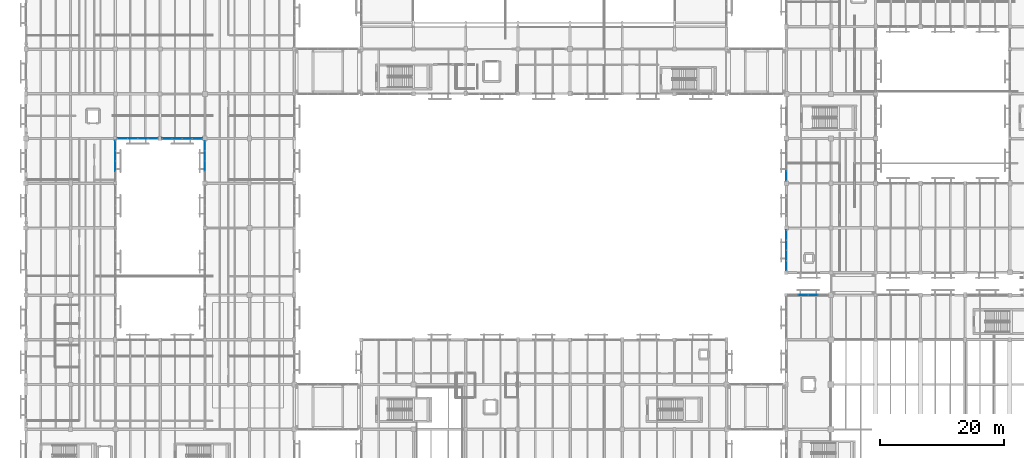
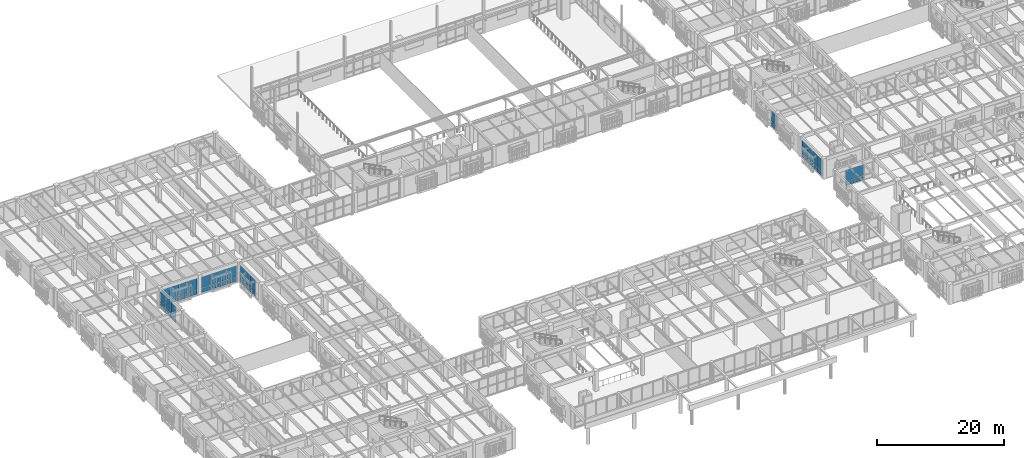
# One storey, part 120 of 170: 42 plates, 7 elements without a shape of their own.
"""IFC4 building model written with IfcOpenShell, lengths in metres."""

from ifc_helpers import new_model, si_unit, direction, frame, origin, origin_2d, place, context, subcontext, project, spatial, rectangle, extrude, material, layer, layer_set, type_object, element, aggregate, save


model = new_model("IFC4")

# Units and contexts
model_context = context("Model", 3, precision=1e-05, world=origin(), true_north=direction((0.0, 1.0)))
body_context = subcontext(model_context, "Body", "Model", "MODEL_VIEW")
ifc_project = project(units=[si_unit("LENGTHUNIT", "METRE"), si_unit("AREAUNIT", "SQUARE_METRE"), si_unit("VOLUMEUNIT", "CUBIC_METRE"), si_unit("PLANEANGLEUNIT", "RADIAN"), si_unit("MASSUNIT", "GRAM", prefix="KILO")], contexts=[model_context])

# Site, building, storey
site_placement = place(None, origin())
site = spatial("IfcSite", under=ifc_project, at=site_placement, CompositionType="ELEMENT")
building_placement = place(site_placement, origin())
building = spatial("IfcBuilding", under=site, at=building_placement, Name="Mazaris Harbour Polytechnic", CompositionType="ELEMENT")
storey_placement = place(building_placement, frame((0.0, 0.0, 5.39990234375)))
storey = spatial("IfcBuildingStorey", under=building, at=storey_placement, Name="L01", CompositionType="ELEMENT", Elevation=5.39990234375)

# Curtain wall, plates
ifc_material_1 = material(Name="Anodised Bronze Aluminium and Low-E Glass", Category="aluminium")
ifc_layer_1 = layer(ifc_material_1, 0.159912109375, Name="Anodised Bronze Aluminium and Low-E Glass")
ifc_layer_set_1 = layer_set([ifc_layer_1], Name="Anodised Bronze Aluminium and Low-E Glass")
curtain_wall_type_1 = type_object("IfcCurtainWallType", Name="Cloister Court Curtain Wall", PredefinedType="NOTDEFINED", material=ifc_layer_set_1)
curtain_wall_1_placement = place(storey_placement, origin())
curtain_wall_1 = element("IfcCurtainWall", 1, at=curtain_wall_1_placement, inside=storey, type_object=curtain_wall_type_1, Name="V2 L01 Curtain Wall 43", PredefinedType="NOTDEFINED")
ifc_material_2 = material(Name="Low-E Double Glazing", Category="glass")
ifc_layer_2 = layer(ifc_material_2, 0.028076171875, Name="Low-E Double Glazing")
ifc_layer_set_2 = layer_set([ifc_layer_2], Name="Low-E Double Glazing")
plate_type_1 = type_object("IfcPlateType", Name="Low-E Vision Glass Panel 28", PredefinedType="CURTAIN_PANEL", material=ifc_layer_set_2)
plate_1_placement = place(storey_placement, frame((125.104248046875, 43.199951171875, 0.080078125), z_axis=(0.0, 0.0, 1.0), x_axis=(1.0, 0.0, 0.0)))
plate_1 = element("IfcPlate", 2, at=plate_1_placement, type_object=plate_type_1, Name="CW-02 panel 2.1", PredefinedType="CURTAIN_PANEL", context=body_context, shape_type="SweptSolid", body=[
    extrude(rectangle(XDim=1.5615234375, YDim=0.028076171875, at=origin_2d()), origin(), (0.0, 0.0, 1.0), 0.830078125),
])
plate_2_placement = place(storey_placement, frame((125.104248046875, 43.199951171875, 0.990234375), z_axis=(0.0, 0.0, 1.0), x_axis=(1.0, 0.0, 0.0)))
plate_2 = element("IfcPlate", 3, at=plate_2_placement, type_object=plate_type_1, Name="CW-02 panel 2.2", PredefinedType="CURTAIN_PANEL", context=body_context, shape_type="SweptSolid", body=[
    extrude(rectangle(XDim=1.5615234375, YDim=0.028076171875, at=origin_2d()), origin(), (0.0, 0.0, 1.0), 2.030029296875),
])
plate_3_placement = place(storey_placement, frame((126.745849609375, 43.199951171875, 0.080078125), z_axis=(0.0, 0.0, 1.0), x_axis=(1.0, 0.0, 0.0)))
plate_3 = element("IfcPlate", 4, at=plate_3_placement, type_object=plate_type_1, Name="CW-02 panel 3.1", PredefinedType="CURTAIN_PANEL", context=body_context, shape_type="SweptSolid", body=[
    extrude(rectangle(XDim=1.5615234375, YDim=0.028076171875, at=origin_2d()), origin(), (0.0, 0.0, 1.0), 0.830078125),
])
plate_4_placement = place(storey_placement, frame((126.745849609375, 43.199951171875, 0.990234375), z_axis=(0.0, 0.0, 1.0), x_axis=(1.0, 0.0, 0.0)))
plate_4 = element("IfcPlate", 5, at=plate_4_placement, type_object=plate_type_1, Name="CW-02 panel 3.2", PredefinedType="CURTAIN_PANEL", context=body_context, shape_type="SweptSolid", body=[
    extrude(rectangle(XDim=1.5615234375, YDim=0.028076171875, at=origin_2d()), origin(), (0.0, 0.0, 1.0), 2.030029296875),
])
aggregate(curtain_wall_1, [plate_1, plate_2, plate_3, plate_4])

curtain_wall_2_placement = place(storey_placement, origin())
curtain_wall_2 = element("IfcCurtainWall", 6, at=curtain_wall_2_placement, inside=storey, type_object=curtain_wall_type_1, Name="V4 L01 Curtain Wall 118", PredefinedType="NOTDEFINED")
plate_5_placement = place(storey_placement, frame((20.4609375, 68.39990234375, 0.080078125), z_axis=(0.0, 0.0, 1.0), x_axis=(-1.0, 0.0, 0.0)))
plate_5 = element("IfcPlate", 7, at=plate_5_placement, type_object=plate_type_1, Name="CW-02 panel 1.1", PredefinedType="CURTAIN_PANEL", context=body_context, shape_type="SweptSolid", body=[
    extrude(rectangle(XDim=1.533935546875, YDim=0.028076171875, at=origin_2d()), origin(), (0.0, 0.0, 1.0), 0.830078125),
])
plate_6_placement = place(storey_placement, frame((20.4609375, 68.39990234375, 0.990234375), z_axis=(0.0, 0.0, 1.0), x_axis=(-1.0, 0.0, 0.0)))
plate_6 = element("IfcPlate", 8, at=plate_6_placement, type_object=plate_type_1, Name="CW-02 panel 1.2", PredefinedType="CURTAIN_PANEL", context=body_context, shape_type="SweptSolid", body=[
    extrude(rectangle(XDim=1.533935546875, YDim=0.028076171875, at=origin_2d()), origin(), (0.0, 0.0, 1.0), 2.1298828125),
])
plate_7_placement = place(storey_placement, frame((18.826904296875, 68.39990234375, 0.080078125), z_axis=(0.0, 0.0, 1.0), x_axis=(-1.0, 0.0, 0.0)))
plate_7 = element("IfcPlate", 9, at=plate_7_placement, type_object=plate_type_1, Name="CW-02 panel 2.1", PredefinedType="CURTAIN_PANEL", context=body_context, shape_type="SweptSolid", body=[
    extrude(rectangle(XDim=1.573974609375, YDim=0.028076171875, at=origin_2d()), origin(), (0.0, 0.0, 1.0), 0.830078125),
])
plate_8_placement = place(storey_placement, frame((18.826904296875, 68.39990234375, 0.990234375), z_axis=(0.0, 0.0, 1.0), x_axis=(-1.0, 0.0, 0.0)))
plate_8 = element("IfcPlate", 10, at=plate_8_placement, type_object=plate_type_1, Name="CW-02 panel 2.2", PredefinedType="CURTAIN_PANEL", context=body_context, shape_type="SweptSolid", body=[
    extrude(rectangle(XDim=1.573974609375, YDim=0.028076171875, at=origin_2d()), origin(), (0.0, 0.0, 1.0), 2.1298828125),
])
plate_9_placement = place(storey_placement, frame((17.173095703125, 68.39990234375, 0.080078125), z_axis=(0.0, 0.0, 1.0), x_axis=(-1.0, 0.0, 0.0)))
plate_9 = element("IfcPlate", 11, at=plate_9_placement, type_object=plate_type_1, Name="CW-02 panel 3.1", PredefinedType="CURTAIN_PANEL", context=body_context, shape_type="SweptSolid", body=[
    extrude(rectangle(XDim=1.573974609375, YDim=0.028076171875, at=origin_2d()), origin(), (0.0, 0.0, 1.0), 0.830078125),
])
plate_10_placement = place(storey_placement, frame((17.173095703125, 68.39990234375, 0.990234375), z_axis=(0.0, 0.0, 1.0), x_axis=(-1.0, 0.0, 0.0)))
plate_10 = element("IfcPlate", 12, at=plate_10_placement, type_object=plate_type_1, Name="CW-02 panel 3.2", PredefinedType="CURTAIN_PANEL", context=body_context, shape_type="SweptSolid", body=[
    extrude(rectangle(XDim=1.573974609375, YDim=0.028076171875, at=origin_2d()), origin(), (0.0, 0.0, 1.0), 2.1298828125),
])
plate_11_placement = place(storey_placement, frame((15.5390625, 68.39990234375, 0.080078125), z_axis=(0.0, 0.0, 1.0), x_axis=(-1.0, 0.0, 0.0)))
plate_11 = element("IfcPlate", 13, at=plate_11_placement, type_object=plate_type_1, Name="CW-02 panel 4.1", PredefinedType="CURTAIN_PANEL", context=body_context, shape_type="SweptSolid", body=[
    extrude(rectangle(XDim=1.533935546875, YDim=0.028076171875, at=origin_2d()), origin(), (0.0, 0.0, 1.0), 0.830078125),
])
plate_12_placement = place(storey_placement, frame((15.5390625, 68.39990234375, 0.990234375), z_axis=(0.0, 0.0, 1.0), x_axis=(-1.0, 0.0, 0.0)))
plate_12 = element("IfcPlate", 14, at=plate_12_placement, type_object=plate_type_1, Name="CW-02 panel 4.2", PredefinedType="CURTAIN_PANEL", context=body_context, shape_type="SweptSolid", body=[
    extrude(rectangle(XDim=1.533935546875, YDim=0.028076171875, at=origin_2d()), origin(), (0.0, 0.0, 1.0), 2.1298828125),
])
aggregate(curtain_wall_2, [plate_5, plate_6, plate_7, plate_8, plate_9, plate_10, plate_11, plate_12])

curtain_wall_3_placement = place(storey_placement, origin())
curtain_wall_3 = element("IfcCurtainWall", 15, at=curtain_wall_3_placement, inside=storey, type_object=curtain_wall_type_1, Name="V4 L01 Curtain Wall 119", PredefinedType="NOTDEFINED")
plate_13_placement = place(storey_placement, frame((27.595458984375, 68.39990234375, 0.080078125), z_axis=(0.0, 0.0, 1.0), x_axis=(-1.0, 0.0, 0.0)))
plate_13 = element("IfcPlate", 16, at=plate_13_placement, type_object=plate_type_1, Name="CW-02 panel 1.1", PredefinedType="CURTAIN_PANEL", context=body_context, shape_type="SweptSolid", body=[
    extrude(rectangle(XDim=1.51513671875, YDim=0.028076171875, at=origin_2d()), origin(), (0.0, 0.0, 1.0), 0.830078125),
])
plate_14_placement = place(storey_placement, frame((27.595458984375, 68.39990234375, 0.990234375), z_axis=(0.0, 0.0, 1.0), x_axis=(-1.0, 0.0, 0.0)))
plate_14 = element("IfcPlate", 17, at=plate_14_placement, type_object=plate_type_1, Name="CW-02 panel 1.2", PredefinedType="CURTAIN_PANEL", context=body_context, shape_type="SweptSolid", body=[
    extrude(rectangle(XDim=1.51513671875, YDim=0.028076171875, at=origin_2d()), origin(), (0.0, 0.0, 1.0), 2.070068359375),
])
plate_15_placement = place(storey_placement, frame((25.980224609375, 68.39990234375, 0.080078125), z_axis=(0.0, 0.0, 1.0), x_axis=(-1.0, 0.0, 0.0)))
plate_15 = element("IfcPlate", 18, at=plate_15_placement, type_object=plate_type_1, Name="CW-02 panel 2.1", PredefinedType="CURTAIN_PANEL", context=body_context, shape_type="SweptSolid", body=[
    extrude(rectangle(XDim=1.55517578125, YDim=0.028076171875, at=origin_2d()), origin(), (0.0, 0.0, 1.0), 0.830078125),
])
plate_16_placement = place(storey_placement, frame((25.980224609375, 68.39990234375, 0.990234375), z_axis=(0.0, 0.0, 1.0), x_axis=(-1.0, 0.0, 0.0)))
plate_16 = element("IfcPlate", 19, at=plate_16_placement, type_object=plate_type_1, Name="CW-02 panel 2.2", PredefinedType="CURTAIN_PANEL", context=body_context, shape_type="SweptSolid", body=[
    extrude(rectangle(XDim=1.55517578125, YDim=0.028076171875, at=origin_2d()), origin(), (0.0, 0.0, 1.0), 2.070068359375),
])
plate_17_placement = place(storey_placement, frame((24.344970703125, 68.39990234375, 0.080078125), z_axis=(0.0, 0.0, 1.0), x_axis=(-1.0, 0.0, 0.0)))
plate_17 = element("IfcPlate", 20, at=plate_17_placement, type_object=plate_type_1, Name="CW-02 panel 3.1", PredefinedType="CURTAIN_PANEL", context=body_context, shape_type="SweptSolid", body=[
    extrude(rectangle(XDim=1.55517578125, YDim=0.028076171875, at=origin_2d()), origin(), (0.0, 0.0, 1.0), 0.830078125),
])
plate_18_placement = place(storey_placement, frame((24.344970703125, 68.39990234375, 0.990234375), z_axis=(0.0, 0.0, 1.0), x_axis=(-1.0, 0.0, 0.0)))
plate_18 = element("IfcPlate", 21, at=plate_18_placement, type_object=plate_type_1, Name="CW-02 panel 3.2", PredefinedType="CURTAIN_PANEL", context=body_context, shape_type="SweptSolid", body=[
    extrude(rectangle(XDim=1.55517578125, YDim=0.028076171875, at=origin_2d()), origin(), (0.0, 0.0, 1.0), 2.070068359375),
])
plate_19_placement = place(storey_placement, frame((22.729736328125, 68.39990234375, 0.080078125), z_axis=(0.0, 0.0, 1.0), x_axis=(-1.0, 0.0, 0.0)))
plate_19 = element("IfcPlate", 22, at=plate_19_placement, type_object=plate_type_1, Name="CW-02 panel 4.1", PredefinedType="CURTAIN_PANEL", context=body_context, shape_type="SweptSolid", body=[
    extrude(rectangle(XDim=1.51513671875, YDim=0.028076171875, at=origin_2d()), origin(), (0.0, 0.0, 1.0), 0.830078125),
])
plate_20_placement = place(storey_placement, frame((22.729736328125, 68.39990234375, 0.990234375), z_axis=(0.0, 0.0, 1.0), x_axis=(-1.0, 0.0, 0.0)))
plate_20 = element("IfcPlate", 23, at=plate_20_placement, type_object=plate_type_1, Name="CW-02 panel 4.2", PredefinedType="CURTAIN_PANEL", context=body_context, shape_type="SweptSolid", body=[
    extrude(rectangle(XDim=1.51513671875, YDim=0.028076171875, at=origin_2d()), origin(), (0.0, 0.0, 1.0), 2.070068359375),
])
aggregate(curtain_wall_3, [plate_13, plate_14, plate_15, plate_16, plate_17, plate_18, plate_19, plate_20])

curtain_wall_4_placement = place(storey_placement, origin())
curtain_wall_4 = element("IfcCurtainWall", 24, at=curtain_wall_4_placement, inside=storey, type_object=curtain_wall_type_1, Name="V4 L01 Curtain Wall 123", PredefinedType="NOTDEFINED")
plate_21_placement = place(storey_placement, frame((14.39990234375, 63.957275390625, 0.080078125), z_axis=(0.0, 0.0, 1.0), x_axis=(0.0, 1.0, 0.0)))
plate_21 = element("IfcPlate", 25, at=plate_21_placement, type_object=plate_type_1, Name="CW-02 panel 2.1", PredefinedType="CURTAIN_PANEL", context=body_context, shape_type="SweptSolid", body=[
    extrude(rectangle(XDim=1.580322265625, YDim=0.028076171875, at=origin_2d()), origin(), (0.0, 0.0, 1.0), 0.830078125),
])
plate_22_placement = place(storey_placement, frame((14.39990234375, 63.957275390625, 0.989990234375), z_axis=(0.0, 0.0, 1.0), x_axis=(0.0, 1.0, 0.0)))
plate_22 = element("IfcPlate", 26, at=plate_22_placement, type_object=plate_type_1, Name="CW-02 panel 2.2", PredefinedType="CURTAIN_PANEL", context=body_context, shape_type="SweptSolid", body=[
    extrude(rectangle(XDim=1.580322265625, YDim=0.028076171875, at=origin_2d()), origin(), (0.0, 0.0, 1.0), 2.22998046875),
])
plate_23_placement = place(storey_placement, frame((14.39990234375, 65.61767578125, 0.080078125), z_axis=(0.0, 0.0, 1.0), x_axis=(0.0, 1.0, 0.0)))
plate_23 = element("IfcPlate", 27, at=plate_23_placement, type_object=plate_type_1, Name="CW-02 panel 3.1", PredefinedType="CURTAIN_PANEL", context=body_context, shape_type="SweptSolid", body=[
    extrude(rectangle(XDim=1.580322265625, YDim=0.028076171875, at=origin_2d()), origin(), (0.0, 0.0, 1.0), 0.830078125),
])
plate_24_placement = place(storey_placement, frame((14.39990234375, 65.61767578125, 0.989990234375), z_axis=(0.0, 0.0, 1.0), x_axis=(0.0, 1.0, 0.0)))
plate_24 = element("IfcPlate", 28, at=plate_24_placement, type_object=plate_type_1, Name="CW-02 panel 3.2", PredefinedType="CURTAIN_PANEL", context=body_context, shape_type="SweptSolid", body=[
    extrude(rectangle(XDim=1.580322265625, YDim=0.028076171875, at=origin_2d()), origin(), (0.0, 0.0, 1.0), 2.22998046875),
])
plate_25_placement = place(storey_placement, frame((14.39990234375, 67.2578125, 0.080078125), z_axis=(0.0, 0.0, 1.0), x_axis=(0.0, 1.0, 0.0)))
plate_25 = element("IfcPlate", 29, at=plate_25_placement, type_object=plate_type_1, Name="CW-02 panel 4.1", PredefinedType="CURTAIN_PANEL", context=body_context, shape_type="SweptSolid", body=[
    extrude(rectangle(XDim=1.540283203125, YDim=0.028076171875, at=origin_2d()), origin(), (0.0, 0.0, 1.0), 0.830078125),
])
plate_26_placement = place(storey_placement, frame((14.39990234375, 67.2578125, 0.989990234375), z_axis=(0.0, 0.0, 1.0), x_axis=(0.0, 1.0, 0.0)))
plate_26 = element("IfcPlate", 30, at=plate_26_placement, type_object=plate_type_1, Name="CW-02 panel 4.2", PredefinedType="CURTAIN_PANEL", context=body_context, shape_type="SweptSolid", body=[
    extrude(rectangle(XDim=1.540283203125, YDim=0.028076171875, at=origin_2d()), origin(), (0.0, 0.0, 1.0), 2.22998046875),
])
aggregate(curtain_wall_4, [plate_21, plate_22, plate_23, plate_24, plate_25, plate_26])

curtain_wall_5_placement = place(storey_placement, origin())
curtain_wall_5 = element("IfcCurtainWall", 31, at=curtain_wall_5_placement, inside=storey, type_object=curtain_wall_type_1, Name="V4 L01 Curtain Wall 127", PredefinedType="NOTDEFINED")
plate_27_placement = place(storey_placement, frame((28.800048828125, 67.20166015625, 0.080078125), z_axis=(0.0, 0.0, 1.0), x_axis=(0.0, -1.0, 0.0)))
plate_27 = element("IfcPlate", 32, at=plate_27_placement, type_object=plate_type_1, Name="CW-02 panel 1.1", PredefinedType="CURTAIN_PANEL", context=body_context, shape_type="SweptSolid", body=[
    extrude(rectangle(XDim=1.502685546875, YDim=0.028076171875, at=origin_2d()), origin(), (0.0, 0.0, 1.0), 0.830078125),
])
plate_28_placement = place(storey_placement, frame((28.800048828125, 67.20166015625, 0.989990234375), z_axis=(0.0, 0.0, 1.0), x_axis=(0.0, -1.0, 0.0)))
plate_28 = element("IfcPlate", 33, at=plate_28_placement, type_object=plate_type_1, Name="CW-02 panel 1.2", PredefinedType="CURTAIN_PANEL", context=body_context, shape_type="SweptSolid", body=[
    extrude(rectangle(XDim=1.502685546875, YDim=0.028076171875, at=origin_2d()), origin(), (0.0, 0.0, 1.0), 2.2900390625),
])
plate_29_placement = place(storey_placement, frame((28.800048828125, 65.598876953125, 0.080078125), z_axis=(0.0, 0.0, 1.0), x_axis=(0.0, -1.0, 0.0)))
plate_29 = element("IfcPlate", 34, at=plate_29_placement, type_object=plate_type_1, Name="CW-02 panel 2.1", PredefinedType="CURTAIN_PANEL", context=body_context, shape_type="SweptSolid", body=[
    extrude(rectangle(XDim=1.542724609375, YDim=0.028076171875, at=origin_2d()), origin(), (0.0, 0.0, 1.0), 0.830078125),
])
plate_30_placement = place(storey_placement, frame((28.800048828125, 65.598876953125, 0.989990234375), z_axis=(0.0, 0.0, 1.0), x_axis=(0.0, -1.0, 0.0)))
plate_30 = element("IfcPlate", 35, at=plate_30_placement, type_object=plate_type_1, Name="CW-02 panel 2.2", PredefinedType="CURTAIN_PANEL", context=body_context, shape_type="SweptSolid", body=[
    extrude(rectangle(XDim=1.542724609375, YDim=0.028076171875, at=origin_2d()), origin(), (0.0, 0.0, 1.0), 2.2900390625),
])
plate_31_placement = place(storey_placement, frame((28.800048828125, 63.97607421875, 0.080078125), z_axis=(0.0, 0.0, 1.0), x_axis=(0.0, -1.0, 0.0)))
plate_31 = element("IfcPlate", 36, at=plate_31_placement, type_object=plate_type_1, Name="CW-02 panel 3.1", PredefinedType="CURTAIN_PANEL", context=body_context, shape_type="SweptSolid", body=[
    extrude(rectangle(XDim=1.542724609375, YDim=0.028076171875, at=origin_2d()), origin(), (0.0, 0.0, 1.0), 0.830078125),
])
plate_32_placement = place(storey_placement, frame((28.800048828125, 63.97607421875, 0.989990234375), z_axis=(0.0, 0.0, 1.0), x_axis=(0.0, -1.0, 0.0)))
plate_32 = element("IfcPlate", 37, at=plate_32_placement, type_object=plate_type_1, Name="CW-02 panel 3.2", PredefinedType="CURTAIN_PANEL", context=body_context, shape_type="SweptSolid", body=[
    extrude(rectangle(XDim=1.542724609375, YDim=0.028076171875, at=origin_2d()), origin(), (0.0, 0.0, 1.0), 2.2900390625),
])
aggregate(curtain_wall_5, [plate_27, plate_28, plate_29, plate_30, plate_31, plate_32])

ifc_material_3 = material(Name="Anodised Bronze Aluminium and Low-E Glass", Category="aluminium")
ifc_layer_3 = layer(ifc_material_3, 0.169921875, Name="Anodised Bronze Aluminium and Low-E Glass")
ifc_layer_set_3 = layer_set([ifc_layer_3], Name="Anodised Bronze Aluminium and Low-E Glass")
curtain_wall_type_2 = type_object("IfcCurtainWallType", Name="Studio North-Light Curtain Wall", PredefinedType="NOTDEFINED", material=ifc_layer_set_3)
curtain_wall_6_placement = place(storey_placement, origin())
curtain_wall_6 = element("IfcCurtainWall", 38, at=curtain_wall_6_placement, inside=storey, type_object=curtain_wall_type_2, Name="V5 L01 Curtain Wall 209", PredefinedType="NOTDEFINED")
ifc_material_4 = material(Name="Solar-Control Low-E Glazing", Category="glass")
ifc_layer_4 = layer(ifc_material_4, 0.031982421875, Name="Solar-Control Low-E Glazing")
ifc_layer_set_4 = layer_set([ifc_layer_4], Name="Solar-Control Low-E Glazing")
plate_type_2 = type_object("IfcPlateType", Name="Solar Control Studio Glass Panel 32", PredefinedType="CURTAIN_PANEL", material=ifc_layer_set_4)
plate_33_placement = place(storey_placement, frame((122.39990234375, 47.935791015625, 0.080078125), z_axis=(0.0, 0.0, 1.0), x_axis=(0.0, 1.0, 0.0)))
plate_33 = element("IfcPlate", 39, at=plate_33_placement, type_object=plate_type_2, Name="CW-03 panel 1.1", PredefinedType="CURTAIN_PANEL", context=body_context, shape_type="SweptSolid", body=[
    extrude(rectangle(XDim=1.52783203125, YDim=0.031982421875, at=origin_2d()), origin(), (0.0, 0.0, 1.0), 0.830078125),
])
plate_34_placement = place(storey_placement, frame((122.39990234375, 47.935791015625, 0.990234375), z_axis=(0.0, 0.0, 1.0), x_axis=(0.0, 1.0, 0.0)))
plate_34 = element("IfcPlate", 40, at=plate_34_placement, type_object=plate_type_2, Name="CW-03 panel 1.2", PredefinedType="CURTAIN_PANEL", context=body_context, shape_type="SweptSolid", body=[
    extrude(rectangle(XDim=1.52783203125, YDim=0.031982421875, at=origin_2d()), origin(), (0.0, 0.0, 1.0), 2.199951171875),
])
plate_35_placement = place(storey_placement, frame((122.39990234375, 49.563720703125, 0.080078125), z_axis=(0.0, 0.0, 1.0), x_axis=(0.0, 1.0, 0.0)))
plate_35 = element("IfcPlate", 41, at=plate_35_placement, type_object=plate_type_2, Name="CW-03 panel 2.1", PredefinedType="CURTAIN_PANEL", context=body_context, shape_type="SweptSolid", body=[
    extrude(rectangle(XDim=1.56787109375, YDim=0.031982421875, at=origin_2d()), origin(), (0.0, 0.0, 1.0), 0.830078125),
])
plate_36_placement = place(storey_placement, frame((122.39990234375, 49.563720703125, 0.990234375), z_axis=(0.0, 0.0, 1.0), x_axis=(0.0, 1.0, 0.0)))
plate_36 = element("IfcPlate", 42, at=plate_36_placement, type_object=plate_type_2, Name="CW-03 panel 2.2", PredefinedType="CURTAIN_PANEL", context=body_context, shape_type="SweptSolid", body=[
    extrude(rectangle(XDim=1.56787109375, YDim=0.031982421875, at=origin_2d()), origin(), (0.0, 0.0, 1.0), 2.199951171875),
])
plate_37_placement = place(storey_placement, frame((122.39990234375, 51.21142578125, 0.080078125), z_axis=(0.0, 0.0, 1.0), x_axis=(0.0, 1.0, 0.0)))
plate_37 = element("IfcPlate", 43, at=plate_37_placement, type_object=plate_type_2, Name="CW-03 panel 3.1", PredefinedType="CURTAIN_PANEL", context=body_context, shape_type="SweptSolid", body=[
    extrude(rectangle(XDim=1.56787109375, YDim=0.031982421875, at=origin_2d()), origin(), (0.0, 0.0, 1.0), 0.830078125),
])
plate_38_placement = place(storey_placement, frame((122.39990234375, 51.21142578125, 0.990234375), z_axis=(0.0, 0.0, 1.0), x_axis=(0.0, 1.0, 0.0)))
plate_38 = element("IfcPlate", 44, at=plate_38_placement, type_object=plate_type_2, Name="CW-03 panel 3.2", PredefinedType="CURTAIN_PANEL", context=body_context, shape_type="SweptSolid", body=[
    extrude(rectangle(XDim=1.56787109375, YDim=0.031982421875, at=origin_2d()), origin(), (0.0, 0.0, 1.0), 2.199951171875),
])
plate_39_placement = place(storey_placement, frame((122.39990234375, 52.839111328125, 0.080078125), z_axis=(0.0, 0.0, 1.0), x_axis=(0.0, 1.0, 0.0)))
plate_39 = element("IfcPlate", 45, at=plate_39_placement, type_object=plate_type_2, Name="CW-03 panel 4.1", PredefinedType="CURTAIN_PANEL", context=body_context, shape_type="SweptSolid", body=[
    extrude(rectangle(XDim=1.52783203125, YDim=0.031982421875, at=origin_2d()), origin(), (0.0, 0.0, 1.0), 0.830078125),
])
plate_40_placement = place(storey_placement, frame((122.39990234375, 52.839111328125, 0.990234375), z_axis=(0.0, 0.0, 1.0), x_axis=(0.0, 1.0, 0.0)))
plate_40 = element("IfcPlate", 46, at=plate_40_placement, type_object=plate_type_2, Name="CW-03 panel 4.2", PredefinedType="CURTAIN_PANEL", context=body_context, shape_type="SweptSolid", body=[
    extrude(rectangle(XDim=1.52783203125, YDim=0.031982421875, at=origin_2d()), origin(), (0.0, 0.0, 1.0), 2.199951171875),
])
aggregate(curtain_wall_6, [plate_33, plate_34, plate_35, plate_36, plate_37, plate_38, plate_39, plate_40])

curtain_wall_7_placement = place(storey_placement, origin())
curtain_wall_7 = element("IfcCurtainWall", 47, at=curtain_wall_7_placement, inside=storey, type_object=curtain_wall_type_2, Name="V5 L01 Curtain Wall 210", PredefinedType="NOTDEFINED")
plate_41_placement = place(storey_placement, frame((122.39990234375, 62.373291015625, 0.080078125), z_axis=(0.0, 0.0, 1.0), x_axis=(0.0, 1.0, 0.0)))
plate_41 = element("IfcPlate", 48, at=plate_41_placement, type_object=plate_type_2, Name="CW-03 panel 1.1", PredefinedType="CURTAIN_PANEL", context=body_context, shape_type="SweptSolid", body=[
    extrude(rectangle(XDim=1.502685546875, YDim=0.031982421875, at=origin_2d()), origin(), (0.0, 0.0, 1.0), 0.830078125),
])
plate_42_placement = place(storey_placement, frame((122.39990234375, 62.373291015625, 0.989990234375), z_axis=(0.0, 0.0, 1.0), x_axis=(0.0, 1.0, 0.0)))
plate_42 = element("IfcPlate", 49, at=plate_42_placement, type_object=plate_type_2, Name="CW-03 panel 1.2", PredefinedType="CURTAIN_PANEL", context=body_context, shape_type="SweptSolid", body=[
    extrude(rectangle(XDim=1.502685546875, YDim=0.031982421875, at=origin_2d()), origin(), (0.0, 0.0, 1.0), 2.10009765625),
])
aggregate(curtain_wall_7, [plate_41, plate_42])

save(model, "model.ifc")
